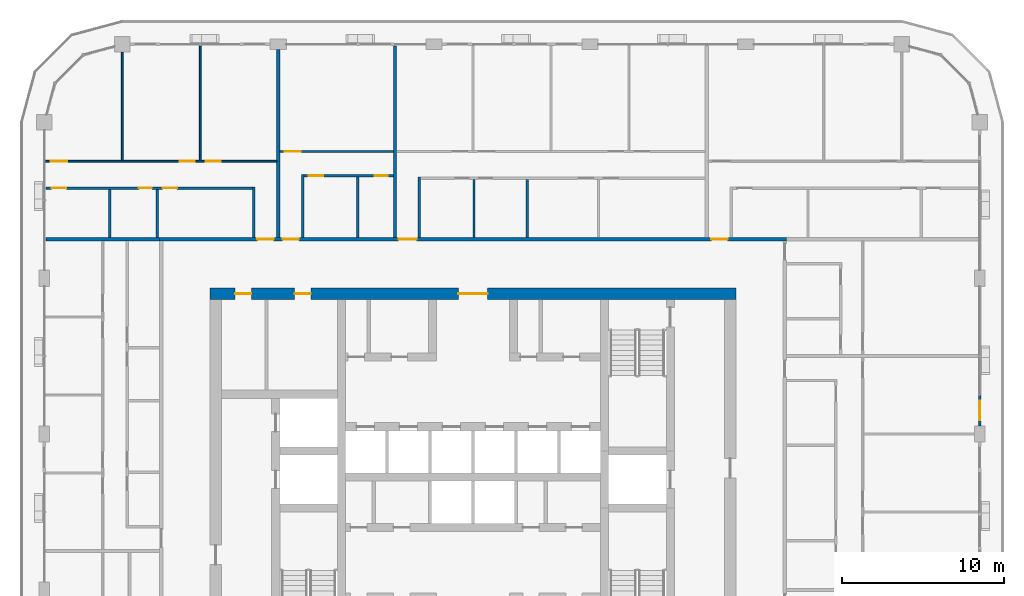
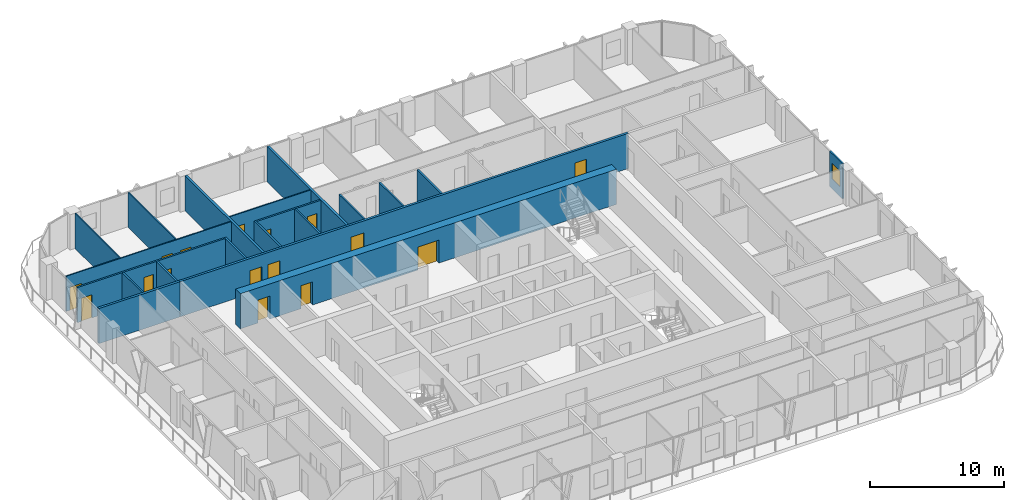
# One storey, part 14 of 23: 20 walls, 16 doors, 1 window, 17 openings.
"""IFC4 building model written with IfcOpenShell, lengths in metres."""

from ifc_helpers import new_model, si_unit, direction, frame, frame_2d, origin, place, context, subcontext, project, spatial, rectangle, extrude, material, layer, layer_set, type_object, element, fill, save


model = new_model("IFC4")

# Units and contexts
model_context = context("Model", 3, precision=1e-05, world=origin(), true_north=direction((0.0, 1.0)))
body_context = subcontext(model_context, "Body", "Model", "MODEL_VIEW")
ifc_project = project(units=[si_unit("LENGTHUNIT", "METRE"), si_unit("AREAUNIT", "SQUARE_METRE"), si_unit("VOLUMEUNIT", "CUBIC_METRE"), si_unit("PLANEANGLEUNIT", "RADIAN"), si_unit("MASSUNIT", "GRAM", prefix="KILO")], contexts=[model_context])

# Site, building, storey
site_placement = place(None, origin())
site = spatial("IfcSite", under=ifc_project, at=site_placement, CompositionType="ELEMENT")
building_placement = place(site_placement, origin())
building = spatial("IfcBuilding", under=site, at=building_placement, Name="Madar Terraces", CompositionType="ELEMENT")
storey_placement = place(building_placement, frame((0.0, 0.0, 222.800048828125)))
storey = spatial("IfcBuildingStorey", under=building, at=storey_placement, Name="L58", CompositionType="ELEMENT", Elevation=222.800048828125)

# Wall, openings, doors
ifc_material_1 = material(Name="Concrete C60/75", Category="concrete")
ifc_layer_1 = layer(ifc_material_1, 0.699951171875)
ifc_layer_set_1 = layer_set([ifc_layer_1], Name="Concrete C60/75 (CRW4 RC wall 700)")
wall_type_1 = type_object("IfcWallType", Name="CRW4 RC wall 700", PredefinedType="SHEAR", material=ifc_layer_set_1)
wall_1_placement = place(storey_placement, frame((15.0, 37.449951171875, 0.0), z_axis=(0.0, 0.0, 1.0), x_axis=(1.0, 0.0, 0.0)))
wall_1 = element("IfcWall", 1, at=wall_1_placement, inside=storey, type_object=wall_type_1, Name="CORE OUTER WALL", PredefinedType="SHEAR", context=body_context, shape_type="SweptSolid", body=[
    extrude(rectangle(XDim=32.39990234375, YDim=0.699951171875, at=frame_2d((16.199951171875, 0.0))), origin(), (0.0, 0.0, 1.0), 3.199951171875),
])
opening_1_placement = place(wall_1_placement, frame((15.300048828125, 0.0, 0.0)))
opening_1 = element("IfcOpeningElement", 2, at=opening_1_placement, cuts=wall_1, Name="Opening KD1", PredefinedType="OPENING", context=body_context, shape_type="SweptSolid", body=[
    extrude(rectangle(XDim=1.800048828125, YDim=2.10009765625, at=frame_2d((0.89990234375, 1.050048828125))), frame((0.0, 0.35986328125, 0.0), z_axis=(0.0, -1.0, 0.0), x_axis=(1.0, 0.0, 0.0)), (0.0, 0.0, 1.0), 0.719970703125),
])
opening_2_placement = place(wall_1_placement, frame((1.544189453125, 0.0, 0.0)))
opening_2 = element("IfcOpeningElement", 3, at=opening_2_placement, cuts=wall_1, Name="Opening KD2", PredefinedType="OPENING", context=body_context, shape_type="SweptSolid", body=[
    extrude(rectangle(XDim=1.0, YDim=2.10009765625, at=frame_2d((0.5, 1.050048828125))), frame((0.0, 0.35986328125, 0.0), z_axis=(0.0, -1.0, 0.0), x_axis=(1.0, 0.0, 0.0)), (0.0, 0.0, 1.0), 0.719970703125),
])
opening_3_placement = place(wall_1_placement, frame((5.21923828125, 0.0, 0.0)))
opening_3 = element("IfcOpeningElement", 4, at=opening_3_placement, cuts=wall_1, Name="Opening KD2", PredefinedType="OPENING", context=body_context, shape_type="SweptSolid", body=[
    extrude(rectangle(XDim=1.0, YDim=2.10009765625, at=frame_2d((0.5, 1.050048828125))), frame((0.0, 0.35986328125, 0.0), z_axis=(0.0, -1.0, 0.0), x_axis=(1.0, 0.0, 0.0)), (0.0, 0.0, 1.0), 0.719970703125),
])
ifc_material_2 = material(Name="Steel door leaf", Category="steel")
door_type_1 = type_object("IfcDoorType", Name="Lobby door pair 1800 x 2100", OperationType="DOUBLE_DOOR_SINGLE_SWING", PredefinedType="DOOR", material=ifc_material_2)
door_1_placement = place(opening_1_placement, origin())
door_1 = element("IfcDoor", 5, at=door_1_placement, inside=storey, type_object=door_type_1, Name="LIFT LOBBY DOOR", OperationType="DOUBLE_DOOR_SINGLE_SWING", OverallHeight=2.10009765625, OverallWidth=1.800048828125, PredefinedType="DOOR", context=body_context, shape_type="SweptSolid", body=[
    extrude(rectangle(XDim=1.800048828125, YDim=2.10009765625, at=frame_2d((0.89990234375, 1.050048828125))), frame((0.0, 0.02490234375, 0.0), z_axis=(0.0, -1.0, 0.0), x_axis=(1.0, 0.0, 0.0)), (0.0, 0.0, 1.0), 0.050048828125),
])
fill(opening_1, door_1)
ifc_material_3 = material(Name="Steel door leaf", Category="steel")
door_type_2 = type_object("IfcDoorType", Name="Service room door 1000 x 2100", OperationType="NOTDEFINED", PredefinedType="DOOR", material=ifc_material_3)
door_2_placement = place(opening_2_placement, origin())
door_2 = element("IfcDoor", 6, at=door_2_placement, inside=storey, type_object=door_type_2, Name="SERVICE ROOM DOOR", OperationType="SINGLE_SWING_LEFT", OverallHeight=2.10009765625, OverallWidth=1.0, PredefinedType="DOOR", context=body_context, shape_type="SweptSolid", body=[
    extrude(rectangle(XDim=1.0, YDim=2.10009765625, at=frame_2d((0.5, 1.050048828125))), frame((0.0, 0.02490234375, 0.0), z_axis=(0.0, -1.0, 0.0), x_axis=(1.0, 0.0, 0.0)), (0.0, 0.0, 1.0), 0.050048828125),
])
fill(opening_2, door_2)
door_3_placement = place(opening_3_placement, origin())
door_3 = element("IfcDoor", 7, at=door_3_placement, inside=storey, type_object=door_type_2, Name="SERVICE ROOM DOOR", OperationType="SINGLE_SWING_RIGHT", OverallHeight=2.10009765625, OverallWidth=1.0, PredefinedType="DOOR", context=body_context, shape_type="SweptSolid", body=[
    extrude(rectangle(XDim=1.0, YDim=2.10009765625, at=frame_2d((0.5, 1.050048828125))), frame((0.0, 0.02490234375, 0.0), z_axis=(0.0, -1.0, 0.0), x_axis=(1.0, 0.0, 0.0)), (0.0, 0.0, 1.0), 0.050048828125),
])
fill(opening_3, door_3)

# Wall, opening, window
ifc_material_4 = material(Name="Aluminium composite panel, black, over insulated backing", Category="aluminium")
ifc_layer_2 = layer(ifc_material_4, 0.14990234375)
ifc_layer_set_2 = layer_set([ifc_layer_2], Name="Facade bay panel 150")
wall_type_2 = type_object("IfcWallType", Name="Facade bay panel 150", PredefinedType="SOLIDWALL", material=ifc_layer_set_2)
wall_2_placement = place(storey_placement, frame((62.39990234375, 29.300048828125, 0.0), z_axis=(0.0, 0.0, 1.0), x_axis=(0.0, 1.0, 0.0)))
wall_2 = element("IfcWall", 8, at=wall_2_placement, inside=storey, type_object=wall_type_2, Name="Facade bay panel", PredefinedType="SOLIDWALL", context=body_context, shape_type="SweptSolid", body=[
    extrude(rectangle(XDim=1.89990234375, YDim=0.14990234375, at=frame_2d((0.949951171875, 0.0))), origin(), (0.0, 0.0, 1.0), 3.199951171875),
])
opening_4_placement = place(wall_2_placement, frame((0.35009765625, 0.0, 0.89990234375)))
opening_4 = element("IfcOpeningElement", 9, at=opening_4_placement, cuts=wall_2, Name="Opening W1", PredefinedType="OPENING", context=body_context, shape_type="SweptSolid", body=[
    extrude(rectangle(XDim=1.199951171875, YDim=1.39990234375, at=frame_2d((0.60009765625, 0.699951171875))), frame((0.0, 0.0849609375, 0.0), z_axis=(0.0, -1.0, 0.0), x_axis=(1.0, 0.0, 0.0)), (0.0, 0.0, 1.0), 0.169921875),
])
ifc_material_5 = material(Name="Glass, clear, with black aluminium frame", Category="aluminium")
window_type = type_object("IfcWindowType", Name="Vent window 1200 x 1400", PartitioningType="SINGLE_PANEL", PredefinedType="WINDOW", material=ifc_material_5)
window_placement = place(opening_4_placement, origin())
window = element("IfcWindow", 10, at=window_placement, inside=storey, type_object=window_type, Name="Operable vent window", OverallHeight=1.39990234375, OverallWidth=1.199951171875, PartitioningType="SINGLE_PANEL", PredefinedType="WINDOW", context=body_context, shape_type="SweptSolid", body=[
    extrude(rectangle(XDim=1.199951171875, YDim=1.39990234375, at=frame_2d((0.60009765625, 0.699951171875))), frame((0.0, 0.030029296875, 0.0), z_axis=(0.0, -1.0, 0.0), x_axis=(1.0, 0.0, 0.0)), (0.0, 0.0, 1.0), 0.06005859375),
])
fill(opening_4, window)

# Wall, opening, door
ifc_material_6 = material(Name="Gypsum board on steel studs", Category="steel")
ifc_layer_3 = layer(ifc_material_6, 0.10009765625)
ifc_layer_set_3 = layer_set([ifc_layer_3], Name="Flat partition 100")
wall_type_3 = type_object("IfcWallType", Name="Flat partition 100", PredefinedType="PARTITIONING", material=ifc_layer_set_3)
wall_3_placement = place(storey_placement, frame((19.300048828125, 46.199951171875, 0.0), z_axis=(0.0, 0.0, 1.0), x_axis=(1.0, 0.0, 0.0)))
wall_3 = element("IfcWall", 11, at=wall_3_placement, inside=storey, type_object=wall_type_3, Name="Flat partition 100", PredefinedType="PARTITIONING", context=body_context, shape_type="SweptSolid", body=[
    extrude(rectangle(XDim=7.0, YDim=0.10009765625, at=frame_2d((3.5, 0.0))), origin(), (0.0, 0.0, 1.0), 3.199951171875),
])
opening_5_placement = place(wall_3_placement, frame((0.300048828125, 0.0, 0.0)))
opening_5 = element("IfcOpeningElement", 12, at=opening_5_placement, cuts=wall_3, Name="Opening D3", PredefinedType="OPENING", context=body_context, shape_type="SweptSolid", body=[
    extrude(rectangle(XDim=1.0, YDim=2.10009765625, at=frame_2d((0.5, 1.050048828125))), frame((0.0, 0.06005859375, 0.0), z_axis=(0.0, -1.0, 0.0), x_axis=(1.0, 0.0, 0.0)), (0.0, 0.0, 1.0), 0.1201171875),
])
ifc_material_7 = material(Name="Timber door leaf", Category="wood")
door_type_3 = type_object("IfcDoorType", Name="Flat living room door 1000", OperationType="NOTDEFINED", PredefinedType="DOOR", material=ifc_material_7)
door_4_placement = place(opening_5_placement, origin())
door_4 = element("IfcDoor", 13, at=door_4_placement, inside=storey, type_object=door_type_3, Name="Flat living room door 1000", OperationType="SINGLE_SWING_LEFT", OverallHeight=2.10009765625, OverallWidth=1.0, PredefinedType="DOOR", context=body_context, shape_type="SweptSolid", body=[
    extrude(rectangle(XDim=1.0, YDim=2.10009765625, at=frame_2d((0.5, 1.050048828125))), frame((0.0, 0.02490234375, 0.0), z_axis=(0.0, -1.0, 0.0), x_axis=(1.0, 0.0, 0.0)), (0.0, 0.0, 1.0), 0.050048828125),
])
fill(opening_5, door_4)

# Walls
wall_4_placement = place(storey_placement, frame((14.39990234375, 45.64990234375, 0.0), z_axis=(0.0, 0.0, 1.0), x_axis=(0.0, 1.0, 0.0)))
element("IfcWall", 14, at=wall_4_placement, inside=storey, type_object=wall_type_3, Name="Flat partition 100", PredefinedType="PARTITIONING", context=body_context, shape_type="SweptSolid", body=[
    extrude(rectangle(XDim=7.050048828125, YDim=0.10009765625, at=frame_2d((3.52490234375, 0.0))), origin(), (0.0, 0.0, 1.0), 3.199951171875),
])
wall_5_placement = place(storey_placement, frame((9.60009765625, 45.64990234375, 0.0), z_axis=(0.0, 0.0, 1.0), x_axis=(0.0, 1.0, 0.0)))
element("IfcWall", 15, at=wall_5_placement, inside=storey, type_object=wall_type_3, Name="Flat partition 100", PredefinedType="PARTITIONING", context=body_context, shape_type="SweptSolid", body=[
    extrude(rectangle(XDim=6.675048828125, YDim=0.10009765625, at=frame_2d((3.33740234375, 0.0))), origin(), (0.0, 0.0, 1.0), 3.199951171875),
])

# Wall, openings, doors
wall_6_placement = place(storey_placement, frame((4.89990234375, 45.60009765625, 0.0), z_axis=(0.0, 0.0, 1.0), x_axis=(1.0, 0.0, 0.0)))
wall_6 = element("IfcWall", 16, at=wall_6_placement, inside=storey, type_object=wall_type_3, Name="Flat partition 100", PredefinedType="PARTITIONING", context=body_context, shape_type="SweptSolid", body=[
    extrude(rectangle(XDim=14.2001953125, YDim=0.10009765625, at=frame_2d((7.10009765625, 0.0))), origin(), (0.0, 0.0, 1.0), 3.199951171875),
])
opening_6_placement = place(wall_6_placement, frame((9.85009765625, 0.0, 0.0)))
opening_6 = element("IfcOpeningElement", 17, at=opening_6_placement, cuts=wall_6, Name="Opening D2", PredefinedType="OPENING", context=body_context, shape_type="SweptSolid", body=[
    extrude(rectangle(XDim=0.89990234375, YDim=2.10009765625, at=frame_2d((0.449951171875, 1.050048828125))), frame((0.0, 0.06005859375, 0.0), z_axis=(0.0, -1.0, 0.0), x_axis=(1.0, 0.0, 0.0)), (0.0, 0.0, 1.0), 0.1201171875),
])
opening_7_placement = place(wall_6_placement, frame((8.25, 0.0, 0.0)))
opening_7 = element("IfcOpeningElement", 18, at=opening_7_placement, cuts=wall_6, Name="Opening D2", PredefinedType="OPENING", context=body_context, shape_type="SweptSolid", body=[
    extrude(rectangle(XDim=0.89990234375, YDim=2.10009765625, at=frame_2d((0.449951171875, 1.050048828125))), frame((0.0, 0.06005859375, 0.0), z_axis=(0.0, -1.0, 0.0), x_axis=(1.0, 0.0, 0.0)), (0.0, 0.0, 1.0), 0.1201171875),
])
opening_8_placement = place(wall_6_placement, frame((0.300048828125, 0.0, 0.0)))
opening_8 = element("IfcOpeningElement", 19, at=opening_8_placement, cuts=wall_6, Name="Opening D3", PredefinedType="OPENING", context=body_context, shape_type="SweptSolid", body=[
    extrude(rectangle(XDim=1.0, YDim=2.10009765625, at=frame_2d((0.5, 1.050048828125))), frame((0.0, 0.06005859375, 0.0), z_axis=(0.0, -1.0, 0.0), x_axis=(1.0, 0.0, 0.0)), (0.0, 0.0, 1.0), 0.1201171875),
])
door_5_placement = place(opening_8_placement, origin())
door_5 = element("IfcDoor", 20, at=door_5_placement, inside=storey, type_object=door_type_3, Name="Flat living room door 1000", OperationType="SINGLE_SWING_LEFT", OverallHeight=2.10009765625, OverallWidth=1.0, PredefinedType="DOOR", context=body_context, shape_type="SweptSolid", body=[
    extrude(rectangle(XDim=1.0, YDim=2.10009765625, at=frame_2d((0.5, 1.050048828125))), frame((0.0, 0.02490234375, 0.0), z_axis=(0.0, -1.0, 0.0), x_axis=(1.0, 0.0, 0.0)), (0.0, 0.0, 1.0), 0.050048828125),
])
fill(opening_8, door_5)
ifc_material_8 = material(Name="Timber door leaf", Category="wood")
door_type_4 = type_object("IfcDoorType", Name="Flat room door 900", OperationType="NOTDEFINED", PredefinedType="DOOR", material=ifc_material_8)
door_6_placement = place(opening_6_placement, origin())
door_6 = element("IfcDoor", 21, at=door_6_placement, inside=storey, type_object=door_type_4, Name="Flat room door 900", OperationType="SINGLE_SWING_LEFT", OverallHeight=2.10009765625, OverallWidth=0.89990234375, PredefinedType="DOOR", context=body_context, shape_type="SweptSolid", body=[
    extrude(rectangle(XDim=0.89990234375, YDim=2.10009765625, at=frame_2d((0.449951171875, 1.050048828125))), frame((0.0, 0.02490234375, 0.0), z_axis=(0.0, -1.0, 0.0), x_axis=(1.0, 0.0, 0.0)), (0.0, 0.0, 1.0), 0.050048828125),
])
fill(opening_6, door_6)
door_7_placement = place(opening_7_placement, origin())
door_7 = element("IfcDoor", 22, at=door_7_placement, inside=storey, type_object=door_type_4, Name="Flat room door 900", OperationType="SINGLE_SWING_RIGHT", OverallHeight=2.10009765625, OverallWidth=0.89990234375, PredefinedType="DOOR", context=body_context, shape_type="SweptSolid", body=[
    extrude(rectangle(XDim=0.89990234375, YDim=2.10009765625, at=frame_2d((0.449951171875, 1.050048828125))), frame((0.0, 0.02490234375, 0.0), z_axis=(0.0, -1.0, 0.0), x_axis=(1.0, 0.0, 0.0)), (0.0, 0.0, 1.0), 0.050048828125),
])
fill(opening_7, door_7)

ifc_material_9 = material(Name="Lightweight blockwork", Category="masonry")
ifc_layer_4 = layer(ifc_material_9, 0.199951171875)
ifc_layer_set_4 = layer_set([ifc_layer_4], Name="Flat party and entrance wall 200")
wall_type_4 = type_object("IfcWallType", Name="Flat party and entrance wall 200", PredefinedType="PARTITIONING", material=ifc_layer_set_4)
wall_7_placement = place(storey_placement, frame((11.89990234375, 40.800048828125, 0.0), z_axis=(0.0, 0.0, 1.0), x_axis=(1.0, 0.0, 0.0)))
wall_7 = element("IfcWall", 23, at=wall_7_placement, inside=storey, type_object=wall_type_4, Name="Flat party and entrance wall 200", PredefinedType="PARTITIONING", context=body_context, shape_type="SweptSolid", body=[
    extrude(rectangle(XDim=38.60009765625, YDim=0.199951171875, at=frame_2d((19.300048828125, 0.0))), origin(), (0.0, 0.0, 1.0), 3.199951171875),
])
opening_9_placement = place(wall_7_placement, frame((33.97509765625, 0.0, 0.0)))
opening_9 = element("IfcOpeningElement", 24, at=opening_9_placement, cuts=wall_7, Name="Opening D1", PredefinedType="OPENING", context=body_context, shape_type="SweptSolid", body=[
    extrude(rectangle(XDim=1.0, YDim=2.10009765625, at=frame_2d((0.5, 1.050048828125))), frame((0.0, 0.10986328125, 0.0), z_axis=(0.0, -1.0, 0.0), x_axis=(1.0, 0.0, 0.0)), (0.0, 0.0, 1.0), 0.219970703125),
])
opening_10_placement = place(wall_7_placement, frame((14.72509765625, 0.0, 0.0)))
opening_10 = element("IfcOpeningElement", 25, at=opening_10_placement, cuts=wall_7, Name="Opening D6", PredefinedType="OPENING", context=body_context, shape_type="SweptSolid", body=[
    extrude(rectangle(XDim=1.10009765625, YDim=2.10009765625, at=frame_2d((0.550048828125, 1.050048828125))), frame((0.0, 0.10986328125, 0.0), z_axis=(0.0, -1.0, 0.0), x_axis=(1.0, 0.0, 0.0)), (0.0, 0.0, 1.0), 0.219970703125),
])
opening_11_placement = place(wall_7_placement, frame((7.574951171875, 0.0, 0.0)))
opening_11 = element("IfcOpeningElement", 26, at=opening_11_placement, cuts=wall_7, Name="Opening D1", PredefinedType="OPENING", context=body_context, shape_type="SweptSolid", body=[
    extrude(rectangle(XDim=1.0, YDim=2.10009765625, at=frame_2d((0.5, 1.050048828125))), frame((0.0, 0.10986328125, 0.0), z_axis=(0.0, -1.0, 0.0), x_axis=(1.0, 0.0, 0.0)), (0.0, 0.0, 1.0), 0.219970703125),
])
opening_12_placement = place(wall_7_placement, frame((6.02490234375, 0.0, 0.0)))
opening_12 = element("IfcOpeningElement", 27, at=opening_12_placement, cuts=wall_7, Name="Opening D1", PredefinedType="OPENING", context=body_context, shape_type="SweptSolid", body=[
    extrude(rectangle(XDim=1.0, YDim=2.10009765625, at=frame_2d((0.5, 1.050048828125))), frame((0.0, 0.10986328125, 0.0), z_axis=(0.0, -1.0, 0.0), x_axis=(1.0, 0.0, 0.0)), (0.0, 0.0, 1.0), 0.219970703125),
])
ifc_material_10 = material(Name="Timber fire door leaf", Category="wood")
door_type_5 = type_object("IfcDoorType", Name="Flat entrance door 1000 FD30S", OperationType="NOTDEFINED", PredefinedType="DOOR", material=ifc_material_10)
door_8_placement = place(opening_9_placement, origin())
door_8 = element("IfcDoor", 28, at=door_8_placement, inside=storey, type_object=door_type_5, Name="Flat entrance door 1000 FD30S", OperationType="SINGLE_SWING_LEFT", OverallHeight=2.10009765625, OverallWidth=1.0, PredefinedType="DOOR", context=body_context, shape_type="SweptSolid", body=[
    extrude(rectangle(XDim=1.0, YDim=2.10009765625, at=frame_2d((0.5, 1.050048828125))), frame((0.0, 0.02490234375, 0.0), z_axis=(0.0, -1.0, 0.0), x_axis=(1.0, 0.0, 0.0)), (0.0, 0.0, 1.0), 0.050048828125),
])
fill(opening_9, door_8)
door_9_placement = place(opening_11_placement, origin())
door_9 = element("IfcDoor", 29, at=door_9_placement, inside=storey, type_object=door_type_5, Name="Flat entrance door 1000 FD30S", OperationType="SINGLE_SWING_LEFT", OverallHeight=2.10009765625, OverallWidth=1.0, PredefinedType="DOOR", context=body_context, shape_type="SweptSolid", body=[
    extrude(rectangle(XDim=1.0, YDim=2.10009765625, at=frame_2d((0.5, 1.050048828125))), frame((0.0, 0.02490234375, 0.0), z_axis=(0.0, -1.0, 0.0), x_axis=(1.0, 0.0, 0.0)), (0.0, 0.0, 1.0), 0.050048828125),
])
fill(opening_11, door_9)
door_10_placement = place(opening_12_placement, origin())
door_10 = element("IfcDoor", 30, at=door_10_placement, inside=storey, type_object=door_type_5, Name="Flat entrance door 1000 FD30S", OperationType="SINGLE_SWING_RIGHT", OverallHeight=2.10009765625, OverallWidth=1.0, PredefinedType="DOOR", context=body_context, shape_type="SweptSolid", body=[
    extrude(rectangle(XDim=1.0, YDim=2.10009765625, at=frame_2d((0.5, 1.050048828125))), frame((0.0, 0.02490234375, 0.0), z_axis=(0.0, -1.0, 0.0), x_axis=(1.0, 0.0, 0.0)), (0.0, 0.0, 1.0), 0.050048828125),
])
fill(opening_12, door_10)
ifc_material_11 = material(Name="Timber fire door leaf", Category="wood")
door_type_6 = type_object("IfcDoorType", Name="Flat entrance door 1100 FD30S", OperationType="NOTDEFINED", PredefinedType="DOOR", material=ifc_material_11)
door_11_placement = place(opening_10_placement, origin())
door_11 = element("IfcDoor", 31, at=door_11_placement, inside=storey, type_object=door_type_6, Name="Flat entrance door 1100 FD30S", OperationType="SINGLE_SWING_LEFT", OverallHeight=2.10009765625, OverallWidth=1.10009765625, PredefinedType="DOOR", context=body_context, shape_type="SweptSolid", body=[
    extrude(rectangle(XDim=1.10009765625, YDim=2.10009765625, at=frame_2d((0.550048828125, 1.050048828125))), frame((0.0, 0.02490234375, 0.0), z_axis=(0.0, -1.0, 0.0), x_axis=(1.0, 0.0, 0.0)), (0.0, 0.0, 1.0), 0.050048828125),
])
fill(opening_10, door_11)

# Walls
wall_8_placement = place(storey_placement, frame((26.39990234375, 52.699951171875, 0.0), z_axis=(0.0, 0.0, 1.0), x_axis=(0.0, -1.0, 0.0)))
element("IfcWall", 32, at=wall_8_placement, inside=storey, type_object=wall_type_4, Name="Flat party and entrance wall 200", PredefinedType="PARTITIONING", context=body_context, shape_type="SweptSolid", body=[
    extrude(rectangle(XDim=11.800048828125, YDim=0.199951171875, at=frame_2d((5.89990234375, 0.0))), origin(), (0.0, 0.0, 1.0), 3.199951171875),
])
wall_9_placement = place(storey_placement, frame((19.199951171875, 52.47509765625, 0.0), z_axis=(0.0, 0.0, 1.0), x_axis=(0.0, -1.0, 0.0)))
element("IfcWall", 33, at=wall_9_placement, inside=storey, type_object=wall_type_4, Name="Flat party and entrance wall 200", PredefinedType="PARTITIONING", context=body_context, shape_type="SweptSolid", body=[
    extrude(rectangle(XDim=11.5751953125, YDim=0.199951171875, at=frame_2d((5.78759765625, 0.0))), origin(), (0.0, 0.0, 1.0), 3.199951171875),
])
wall_10_placement = place(storey_placement, frame((4.89990234375, 40.800048828125, 0.0), z_axis=(0.0, 0.0, 1.0), x_axis=(1.0, 0.0, 0.0)))
element("IfcWall", 34, at=wall_10_placement, inside=storey, type_object=wall_type_4, Name="Flat party and entrance wall 200", PredefinedType="PARTITIONING", context=body_context, shape_type="SweptSolid", body=[
    extrude(rectangle(XDim=7.0, YDim=0.199951171875, at=frame_2d((3.5, 0.0))), origin(), (0.0, 0.0, 1.0), 3.199951171875),
])
ifc_material_12 = material(Name="Lightweight blockwork", Category="masonry")
ifc_layer_5 = layer(ifc_material_12, 0.14990234375)
ifc_layer_set_5 = layer_set([ifc_layer_5], Name="Flat wet-room partition 150")
wall_type_5 = type_object("IfcWallType", Name="Flat wet-room partition 150", PredefinedType="PARTITIONING", material=ifc_layer_set_5)
for number, where, z_axis, x_axis, name in (
    (35, (31.260986328125, 40.89990234375, 0.0), (0.0, 0.0, 1.0), (0.0, 1.0, 0.0), "Flat wet-room partition 150"),
    (36, (34.546875, 40.89990234375, 0.0), (0.0, 0.0, 1.0), (0.0, 1.0, 0.0), "Flat wet-room partition 150"),
):
    element("IfcWall", number, at=place(storey_placement, frame(where, z_axis=z_axis, x_axis=x_axis)), inside=storey, type_object=wall_type_5, Name=name, PredefinedType="PARTITIONING", context=body_context, shape_type="SweptSolid", body=[
        extrude(rectangle(XDim=3.5751953125, YDim=0.14990234375, at=frame_2d((1.78759765625, 0.0))), origin(), (0.0, 0.0, 1.0), 3.199951171875),
    ])
for number, where, z_axis, x_axis, name in (
    (37, (27.89990234375, 40.89990234375, 0.0), (0.0, 0.0, 1.0), (0.0, 1.0, 0.0), "Flat wet-room partition 150"),
    (38, (24.090087890625, 40.89990234375, 0.0), (0.0, 0.0, 1.0), (0.0, 1.0, 0.0), "Flat wet-room partition 150"),
):
    element("IfcWall", number, at=place(storey_placement, frame(where, z_axis=z_axis, x_axis=x_axis)), inside=storey, type_object=wall_type_5, Name=name, PredefinedType="PARTITIONING", context=body_context, shape_type="SweptSolid", body=[
        extrude(rectangle(XDim=3.72509765625, YDim=0.14990234375, at=frame_2d((1.862548828125, 0.0))), origin(), (0.0, 0.0, 1.0), 3.199951171875),
    ])
wall_11_placement = place(storey_placement, frame((20.699951171875, 40.89990234375, 0.0), z_axis=(0.0, 0.0, 1.0), x_axis=(0.0, 1.0, 0.0)))
element("IfcWall", 39, at=wall_11_placement, inside=storey, type_object=wall_type_5, Name="Flat wet-room partition 150", PredefinedType="PARTITIONING", context=body_context, shape_type="SweptSolid", body=[
    extrude(rectangle(XDim=3.875, YDim=0.14990234375, at=frame_2d((1.9375, 0.0))), origin(), (0.0, 0.0, 1.0), 3.199951171875),
])

# Wall, openings, doors
wall_12_placement = place(storey_placement, frame((26.300048828125, 44.699951171875, 0.0), z_axis=(0.0, 0.0, 1.0), x_axis=(-1.0, 0.0, 0.0)))
wall_12 = element("IfcWall", 40, at=wall_12_placement, inside=storey, type_object=wall_type_5, Name="Flat wet-room partition 150", PredefinedType="PARTITIONING", context=body_context, shape_type="SweptSolid", body=[
    extrude(rectangle(XDim=5.525146484375, YDim=0.14990234375, at=frame_2d((2.7626953125, 0.0))), origin(), (0.0, 0.0, 1.0), 3.199951171875),
])
opening_13_placement = place(wall_12_placement, frame((4.324951171875, 0.0, 0.0)))
opening_13 = element("IfcOpeningElement", 41, at=opening_13_placement, cuts=wall_12, Name="Opening D2", PredefinedType="OPENING", context=body_context, shape_type="SweptSolid", body=[
    extrude(rectangle(XDim=0.89990234375, YDim=2.10009765625, at=frame_2d((0.449951171875, 1.050048828125))), frame((0.0, 0.0849609375, 0.0), z_axis=(0.0, -1.0, 0.0), x_axis=(1.0, 0.0, 0.0)), (0.0, 0.0, 1.0), 0.169921875),
])
opening_14_placement = place(wall_12_placement, frame((0.35009765625, 0.0, 0.0)))
opening_14 = element("IfcOpeningElement", 42, at=opening_14_placement, cuts=wall_12, Name="Opening D4", PredefinedType="OPENING", context=body_context, shape_type="SweptSolid", body=[
    extrude(rectangle(XDim=0.800048828125, YDim=2.10009765625, at=frame_2d((0.39990234375, 1.050048828125))), frame((0.0, 0.0849609375, 0.0), z_axis=(0.0, -1.0, 0.0), x_axis=(1.0, 0.0, 0.0)), (0.0, 0.0, 1.0), 0.169921875),
])
ifc_material_13 = material(Name="Timber door leaf", Category="wood")
door_type_7 = type_object("IfcDoorType", Name="Flat bathroom door 800", OperationType="NOTDEFINED", PredefinedType="DOOR", material=ifc_material_13)
door_12_placement = place(opening_14_placement, origin())
door_12 = element("IfcDoor", 43, at=door_12_placement, inside=storey, type_object=door_type_7, Name="Flat bathroom door 800", OperationType="SINGLE_SWING_LEFT", OverallHeight=2.10009765625, OverallWidth=0.800048828125, PredefinedType="DOOR", context=body_context, shape_type="SweptSolid", body=[
    extrude(rectangle(XDim=0.800048828125, YDim=2.10009765625, at=frame_2d((0.39990234375, 1.050048828125))), frame((0.0, 0.02490234375, 0.0), z_axis=(0.0, -1.0, 0.0), x_axis=(1.0, 0.0, 0.0)), (0.0, 0.0, 1.0), 0.050048828125),
])
fill(opening_14, door_12)
door_13_placement = place(opening_13_placement, origin())
door_13 = element("IfcDoor", 44, at=door_13_placement, inside=storey, type_object=door_type_4, Name="Flat room door 900", OperationType="SINGLE_SWING_RIGHT", OverallHeight=2.10009765625, OverallWidth=0.89990234375, PredefinedType="DOOR", context=body_context, shape_type="SweptSolid", body=[
    extrude(rectangle(XDim=0.89990234375, YDim=2.10009765625, at=frame_2d((0.449951171875, 1.050048828125))), frame((0.0, 0.02490234375, 0.0), z_axis=(0.0, -1.0, 0.0), x_axis=(1.0, 0.0, 0.0)), (0.0, 0.0, 1.0), 0.050048828125),
])
fill(opening_13, door_13)

# Walls
for number, where, z_axis, x_axis, name in (
    (45, (11.751953125, 40.89990234375, 0.0), (0.0, 0.0, 1.0), (0.0, 1.0, 0.0), "Flat wet-room partition 150"),
    (46, (8.8154296875, 40.89990234375, 0.0), (0.0, 0.0, 1.0), (0.0, 1.0, 0.0), "Flat wet-room partition 150"),
):
    element("IfcWall", number, at=place(storey_placement, frame(where, z_axis=z_axis, x_axis=x_axis)), inside=storey, type_object=wall_type_5, Name=name, PredefinedType="PARTITIONING", context=body_context, shape_type="SweptSolid", body=[
        extrude(rectangle(XDim=2.97509765625, YDim=0.14990234375, at=frame_2d((1.487548828125, 0.0))), origin(), (0.0, 0.0, 1.0), 3.199951171875),
    ])
wall_13_placement = place(storey_placement, frame((17.699951171875, 40.89990234375, 0.0), z_axis=(0.0, 0.0, 1.0), x_axis=(0.0, 1.0, 0.0)))
element("IfcWall", 47, at=wall_13_placement, inside=storey, type_object=wall_type_5, Name="Flat wet-room partition 150", PredefinedType="PARTITIONING", context=body_context, shape_type="SweptSolid", body=[
    extrude(rectangle(XDim=3.125, YDim=0.14990234375, at=frame_2d((1.5625, 0.0))), origin(), (0.0, 0.0, 1.0), 3.199951171875),
])

# Wall, openings, doors
wall_14_placement = place(storey_placement, frame((17.625, 43.949951171875, 0.0), z_axis=(0.0, 0.0, 1.0), x_axis=(-1.0, 0.0, 0.0)))
wall_14 = element("IfcWall", 48, at=wall_14_placement, inside=storey, type_object=wall_type_5, Name="Flat wet-room partition 150", PredefinedType="PARTITIONING", context=body_context, shape_type="SweptSolid", body=[
    extrude(rectangle(XDim=12.72509765625, YDim=0.14990234375, at=frame_2d((6.362548828125, 0.0))), origin(), (0.0, 0.0, 1.0), 3.199951171875),
])
opening_15_placement = place(wall_14_placement, frame((4.648193359375, 0.0, 0.0)))
opening_15 = element("IfcOpeningElement", 49, at=opening_15_placement, cuts=wall_14, Name="Opening D2", PredefinedType="OPENING", context=body_context, shape_type="SweptSolid", body=[
    extrude(rectangle(XDim=0.89990234375, YDim=2.10009765625, at=frame_2d((0.449951171875, 1.050048828125))), frame((0.0, 0.0849609375, 0.0), z_axis=(0.0, -1.0, 0.0), x_axis=(1.0, 0.0, 0.0)), (0.0, 0.0, 1.0), 0.169921875),
])
opening_16_placement = place(wall_14_placement, frame((6.197998046875, 0.0, 0.0)))
opening_16 = element("IfcOpeningElement", 50, at=opening_16_placement, cuts=wall_14, Name="Opening D4", PredefinedType="OPENING", context=body_context, shape_type="SweptSolid", body=[
    extrude(rectangle(XDim=0.800048828125, YDim=2.10009765625, at=frame_2d((0.39990234375, 1.050048828125))), frame((0.0, 0.0849609375, 0.0), z_axis=(0.0, -1.0, 0.0), x_axis=(1.0, 0.0, 0.0)), (0.0, 0.0, 1.0), 0.169921875),
])
opening_17_placement = place(wall_14_placement, frame((11.47509765625, 0.0, 0.0)))
opening_17 = element("IfcOpeningElement", 51, at=opening_17_placement, cuts=wall_14, Name="Opening D5", PredefinedType="OPENING", context=body_context, shape_type="SweptSolid", body=[
    extrude(rectangle(XDim=0.89990234375, YDim=2.10009765625, at=frame_2d((0.449951171875, 1.050048828125))), frame((0.0, 0.0849609375, 0.0), z_axis=(0.0, -1.0, 0.0), x_axis=(1.0, 0.0, 0.0)), (0.0, 0.0, 1.0), 0.169921875),
])
ifc_material_14 = material(Name="Timber door leaf", Category="wood")
door_type_8 = type_object("IfcDoorType", Name="Flat accessible bathroom door 900", OperationType="NOTDEFINED", PredefinedType="DOOR", material=ifc_material_14)
door_14_placement = place(opening_17_placement, origin())
door_14 = element("IfcDoor", 52, at=door_14_placement, inside=storey, type_object=door_type_8, Name="Flat accessible bathroom door 900", OperationType="SINGLE_SWING_RIGHT", OverallHeight=2.10009765625, OverallWidth=0.89990234375, PredefinedType="DOOR", context=body_context, shape_type="SweptSolid", body=[
    extrude(rectangle(XDim=0.89990234375, YDim=2.10009765625, at=frame_2d((0.449951171875, 1.050048828125))), frame((0.0, 0.02490234375, 0.0), z_axis=(0.0, -1.0, 0.0), x_axis=(1.0, 0.0, 0.0)), (0.0, 0.0, 1.0), 0.050048828125),
])
fill(opening_17, door_14)
door_15_placement = place(opening_16_placement, origin())
door_15 = element("IfcDoor", 53, at=door_15_placement, inside=storey, type_object=door_type_7, Name="Flat bathroom door 800", OperationType="SINGLE_SWING_LEFT", OverallHeight=2.10009765625, OverallWidth=0.800048828125, PredefinedType="DOOR", context=body_context, shape_type="SweptSolid", body=[
    extrude(rectangle(XDim=0.800048828125, YDim=2.10009765625, at=frame_2d((0.39990234375, 1.050048828125))), frame((0.0, 0.02490234375, 0.0), z_axis=(0.0, -1.0, 0.0), x_axis=(1.0, 0.0, 0.0)), (0.0, 0.0, 1.0), 0.050048828125),
])
fill(opening_16, door_15)
door_16_placement = place(opening_15_placement, origin())
door_16 = element("IfcDoor", 54, at=door_16_placement, inside=storey, type_object=door_type_4, Name="Flat room door 900", OperationType="SINGLE_SWING_RIGHT", OverallHeight=2.10009765625, OverallWidth=0.89990234375, PredefinedType="DOOR", context=body_context, shape_type="SweptSolid", body=[
    extrude(rectangle(XDim=0.89990234375, YDim=2.10009765625, at=frame_2d((0.449951171875, 1.050048828125))), frame((0.0, 0.02490234375, 0.0), z_axis=(0.0, -1.0, 0.0), x_axis=(1.0, 0.0, 0.0)), (0.0, 0.0, 1.0), 0.050048828125),
])
fill(opening_15, door_16)

save(model, "model.ifc")
